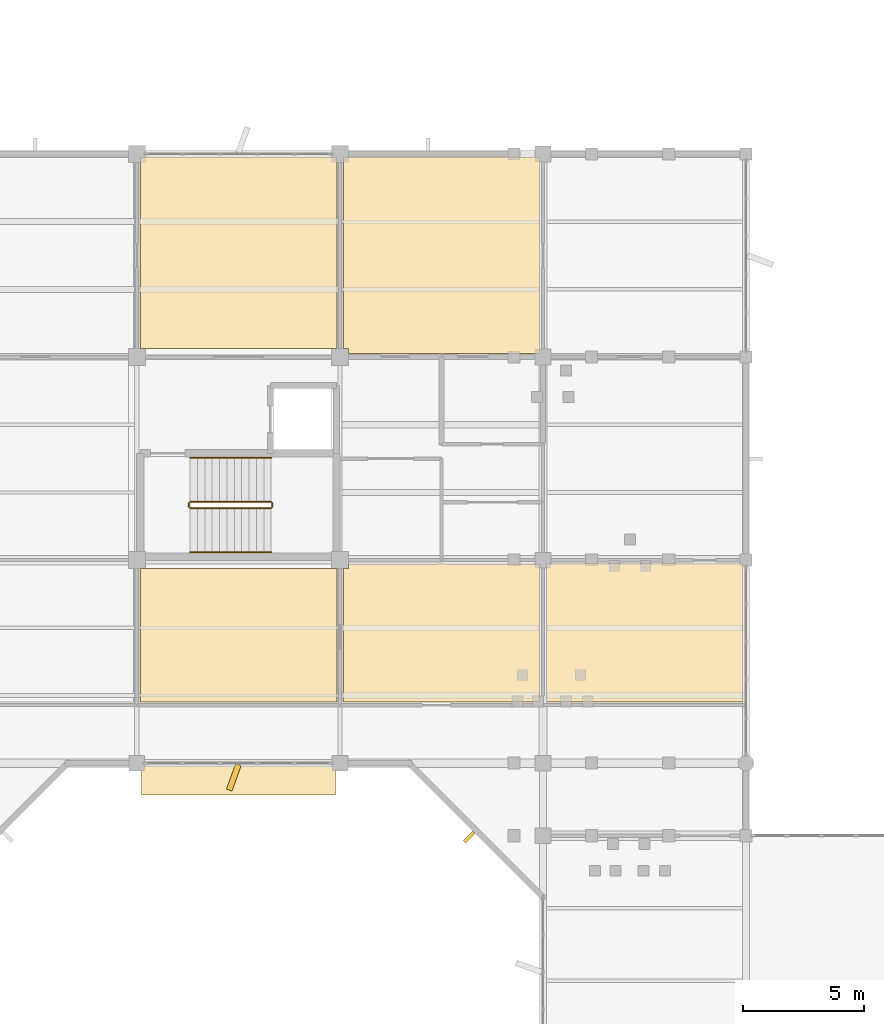
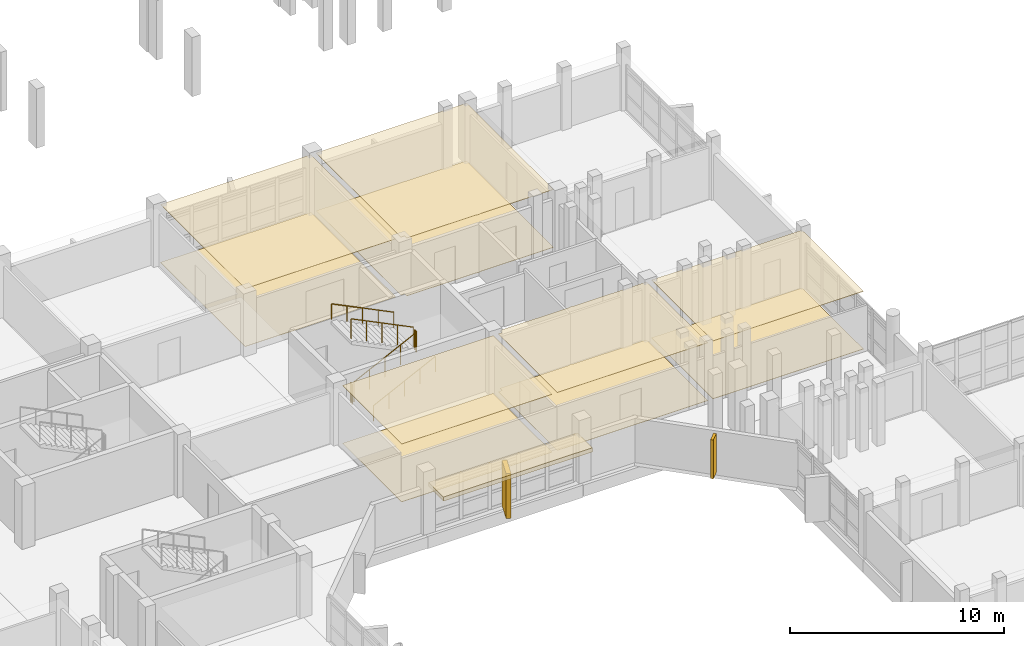
# One storey, part 98 of 104: 12 coverings, 6 railings, 1 shading device.
"""IFC4 building model written with IfcOpenShell, lengths in metres."""

from ifc_helpers import new_model, si_unit, direction, frame, origin, origin_2d, place, context, subcontext, project, spatial, polyline, rectangle, circle, outline, extrude, material, layer, layer_set, type_object, element, save


model = new_model("IFC4")

# Units and contexts
model_context = context("Model", 3, precision=1e-05, world=origin(), true_north=direction((0.0, 1.0)))
body_context = subcontext(model_context, "Body", "Model", "MODEL_VIEW")
ifc_project = project(units=[si_unit("LENGTHUNIT", "METRE"), si_unit("AREAUNIT", "SQUARE_METRE"), si_unit("VOLUMEUNIT", "CUBIC_METRE"), si_unit("PLANEANGLEUNIT", "RADIAN"), si_unit("MASSUNIT", "GRAM", prefix="KILO")], contexts=[model_context])

# Site, building, storey
site_placement = place(None, origin())
site = spatial("IfcSite", under=ifc_project, at=site_placement, CompositionType="ELEMENT")
building_placement = place(site_placement, origin())
building = spatial("IfcBuilding", under=site, at=building_placement, Name="Vanh Quang Courtyard School", CompositionType="ELEMENT")
storey_placement = place(building_placement, frame((0.0, 0.0, 4.199951171875)))
storey = spatial("IfcBuildingStorey", under=building, at=storey_placement, Name="L01", CompositionType="ELEMENT", Elevation=4.199951171875)

# Coverings
ifc_material_1 = material(Name="Perforated mineral-fibre acoustic ceiling board")
ifc_layer_1 = layer(ifc_material_1, 0.02490234375)
ifc_layer_set_1 = layer_set([ifc_layer_1], Name="Perforated mineral-fibre acoustic ceiling board")
covering_type_1 = type_object("IfcCoveringType", Name="COV-CEIL-ACOUSTIC", PredefinedType="CEILING", material=ifc_layer_set_1)
covering_1_placement = place(storey_placement, frame((0.0, 0.0, 3.295166015625)))
element("IfcCovering", 1, at=covering_1_placement, inside=storey, type_object=covering_type_1, Name="Covering CV-CL1 (L01)", PredefinedType="CEILING", context=body_context, shape_type="SweptSolid", body=[
    extrude(outline(polyline([(94.360107421875, 73.929931640625), (94.35888671875, 73.929931640625), (94.35791015625, 73.93017578125), (94.357177734375, 73.930419921875), (94.356201171875, 73.930908203125), (94.355224609375, 73.93115234375), (94.3544921875, 73.931640625), (94.353759765625, 73.932373046875), (94.352783203125, 73.932861328125), (94.352294921875, 73.93359375), (94.351806640625, 73.934326171875), (94.351318359375, 73.935302734375), (94.350830078125, 73.936279296875), (94.350341796875, 73.93701171875), (94.35009765625, 73.93798828125), (94.35009765625, 73.93896484375), (94.35009765625, 73.93994140625), (94.35009765625, 79.449951171875), (102.469970703125, 79.449951171875), (102.469970703125, 73.93994140625), (102.469970703125, 73.93896484375), (102.4697265625, 73.93798828125), (102.469482421875, 73.93701171875), (102.46923828125, 73.936279296875), (102.46875, 73.935302734375), (102.46826171875, 73.934326171875), (102.4677734375, 73.93359375), (102.467041015625, 73.932861328125), (102.46630859375, 73.932373046875), (102.465576171875, 73.931640625), (102.464599609375, 73.93115234375), (102.4638671875, 73.930908203125), (102.462890625, 73.930419921875), (102.4619140625, 73.93017578125), (102.4609375, 73.929931640625), (102.4599609375, 73.929931640625), (94.360107421875, 73.929931640625)])), origin(), (0.0, 0.0, 1.0), 0.02490234375),
])
covering_2_placement = place(storey_placement, frame((0.0, 0.0, 3.295166015625)))
element("IfcCovering", 2, at=covering_2_placement, inside=storey, type_object=covering_type_1, Name="Covering CV-CL1 (L01)", PredefinedType="CEILING", context=body_context, shape_type="SweptSolid", body=[
    extrude(outline(polyline([(94.35009765625, 96.4599609375), (94.35009765625, 96.4609375), (94.35009765625, 96.4619140625), (94.350341796875, 96.462890625), (94.350830078125, 96.4638671875), (94.351318359375, 96.464599609375), (94.351806640625, 96.465576171875), (94.352294921875, 96.46630859375), (94.352783203125, 96.467041015625), (94.353759765625, 96.4677734375), (94.3544921875, 96.46826171875), (94.355224609375, 96.46875), (94.356201171875, 96.46923828125), (94.357177734375, 96.469482421875), (94.35791015625, 96.4697265625), (94.35888671875, 96.469970703125), (94.360107421875, 96.469970703125), (102.4599609375, 96.469970703125), (102.4609375, 96.469970703125), (102.4619140625, 96.4697265625), (102.462890625, 96.469482421875), (102.4638671875, 96.46923828125), (102.464599609375, 96.46875), (102.465576171875, 96.46826171875), (102.46630859375, 96.4677734375), (102.467041015625, 96.467041015625), (102.4677734375, 96.46630859375), (102.46826171875, 96.465576171875), (102.46875, 96.464599609375), (102.46923828125, 96.4638671875), (102.469482421875, 96.462890625), (102.4697265625, 96.4619140625), (102.469970703125, 96.4609375), (102.469970703125, 96.4599609375), (102.469970703125, 88.550048828125), (94.34912109375, 88.550048828125), (94.35009765625, 96.4599609375)])), origin(), (0.0, 0.0, 1.0), 0.02490234375),
])
covering_3_placement = place(storey_placement, frame((0.0, 0.0, 3.295166015625)))
element("IfcCovering", 3, at=covering_3_placement, inside=storey, type_object=covering_type_1, Name="Covering CV-CL1 (L01)", PredefinedType="CEILING", context=body_context, shape_type="SweptSolid", body=[
    extrude(outline(polyline([(102.75, 79.449951171875), (102.949951171875, 79.449951171875), (102.949951171875, 79.64990234375), (106.6591796875, 79.64990234375), (106.765625, 79.669921875), (106.7666015625, 79.669921875), (106.767333984375, 79.669921875), (106.8525390625, 79.669921875), (106.853515625, 79.669921875), (106.8544921875, 79.669921875), (106.9609375, 79.64990234375), (110.860107421875, 79.64990234375), (110.861083984375, 79.64990234375), (110.862060546875, 79.64990234375), (110.86279296875, 79.649658203125), (110.86376953125, 79.649169921875), (110.86474609375, 79.648681640625), (110.865478515625, 79.648193359375), (110.8662109375, 79.647705078125), (110.8671875, 79.647216796875), (110.86767578125, 79.646240234375), (110.868408203125, 79.6455078125), (110.868896484375, 79.644775390625), (110.869140625, 79.643798828125), (110.86962890625, 79.642822265625), (110.869873046875, 79.64208984375), (110.8701171875, 79.64111328125), (110.8701171875, 79.639892578125), (110.8701171875, 73.93994140625), (110.8701171875, 73.93896484375), (110.869873046875, 73.93798828125), (110.86962890625, 73.93701171875), (110.869140625, 73.936279296875), (110.868896484375, 73.935302734375), (110.868408203125, 73.934326171875), (110.86767578125, 73.93359375), (110.8671875, 73.932861328125), (110.8662109375, 73.932373046875), (110.865478515625, 73.931640625), (110.86474609375, 73.93115234375), (110.86376953125, 73.930908203125), (110.86279296875, 73.930419921875), (110.862060546875, 73.93017578125), (110.861083984375, 73.929931640625), (110.860107421875, 73.929931640625), (102.760009765625, 73.929931640625), (102.759033203125, 73.929931640625), (102.758056640625, 73.93017578125), (102.757080078125, 73.930419921875), (102.756103515625, 73.930908203125), (102.75537109375, 73.93115234375), (102.75439453125, 73.931640625), (102.753662109375, 73.932373046875), (102.7529296875, 73.932861328125), (102.752197265625, 73.93359375), (102.751708984375, 73.934326171875), (102.751220703125, 73.935302734375), (102.750732421875, 73.936279296875), (102.75048828125, 73.93701171875), (102.750244140625, 73.93798828125), (102.75, 73.93896484375), (102.75, 73.93994140625), (102.75, 79.449951171875)])), origin(), (0.0, 0.0, 1.0), 0.02490234375),
])
covering_4_placement = place(storey_placement, frame((0.0, 0.0, 3.295166015625)))
element("IfcCovering", 4, at=covering_4_placement, inside=storey, type_object=covering_type_1, Name="Covering CV-CL1 (L01)", PredefinedType="CEILING", context=body_context, shape_type="SweptSolid", body=[
    extrude(outline(polyline([(102.949951171875, 88.35009765625), (102.949951171875, 88.550048828125), (102.75, 88.550048828125), (102.75, 96.4599609375), (102.75, 96.4609375), (102.750244140625, 96.4619140625), (102.75048828125, 96.462890625), (102.750732421875, 96.4638671875), (102.751220703125, 96.464599609375), (102.751708984375, 96.465576171875), (102.752197265625, 96.46630859375), (102.7529296875, 96.467041015625), (102.753662109375, 96.4677734375), (102.75439453125, 96.46826171875), (102.75537109375, 96.46875), (102.756103515625, 96.46923828125), (102.757080078125, 96.469482421875), (102.758056640625, 96.4697265625), (102.759033203125, 96.469970703125), (102.760009765625, 96.469970703125), (110.860107421875, 96.469970703125), (110.861083984375, 96.469970703125), (110.862060546875, 96.4697265625), (110.86279296875, 96.469482421875), (110.86376953125, 96.46923828125), (110.86474609375, 96.46875), (110.865478515625, 96.46826171875), (110.8662109375, 96.4677734375), (110.8671875, 96.467041015625), (110.86767578125, 96.46630859375), (110.868408203125, 96.465576171875), (110.868896484375, 96.464599609375), (110.869140625, 96.4638671875), (110.86962890625, 96.462890625), (110.869873046875, 96.4619140625), (110.8701171875, 96.4609375), (110.8701171875, 96.4599609375), (110.8701171875, 88.360107421875), (110.8701171875, 88.35888671875), (110.869873046875, 88.35791015625), (110.86962890625, 88.357177734375), (110.869140625, 88.356201171875), (110.868896484375, 88.355224609375), (110.868408203125, 88.3544921875), (110.86767578125, 88.353759765625), (110.8671875, 88.352783203125), (110.8662109375, 88.352294921875), (110.865478515625, 88.351806640625), (110.86474609375, 88.351318359375), (110.86376953125, 88.350830078125), (110.86279296875, 88.350341796875), (110.862060546875, 88.35009765625), (110.861083984375, 88.35009765625), (110.860107421875, 88.35009765625), (106.9609375, 88.35009765625), (106.8544921875, 88.330078125), (106.853515625, 88.330078125), (106.8525390625, 88.330078125), (106.767333984375, 88.330078125), (106.7666015625, 88.330078125), (106.765625, 88.330078125), (106.6591796875, 88.35009765625), (102.949951171875, 88.35009765625)])), origin(), (0.0, 0.0, 1.0), 0.02490234375),
])
covering_5_placement = place(storey_placement, frame((0.0, 0.0, 3.295166015625)))
element("IfcCovering", 5, at=covering_5_placement, inside=storey, type_object=covering_type_1, Name="Covering CV-CL1 (L01)", PredefinedType="CEILING", context=body_context, shape_type="SweptSolid", body=[
    extrude(outline(polyline([(111.159912109375, 73.929931640625), (111.158935546875, 73.929931640625), (111.157958984375, 73.93017578125), (111.156982421875, 73.930419921875), (111.15625, 73.930908203125), (111.1552734375, 73.93115234375), (111.154296875, 73.931640625), (111.15380859375, 73.932373046875), (111.15283203125, 73.932861328125), (111.15234375, 73.93359375), (111.151611328125, 73.934326171875), (111.151123046875, 73.935302734375), (111.15087890625, 73.936279296875), (111.150390625, 73.93701171875), (111.150146484375, 73.93798828125), (111.14990234375, 73.93896484375), (111.14990234375, 73.93994140625), (111.149169921875, 79.659912109375), (111.149169921875, 79.660888671875), (111.1494140625, 79.661865234375), (111.149658203125, 79.662841796875), (111.14990234375, 79.663818359375), (111.150390625, 79.664794921875), (111.15087890625, 79.66552734375), (111.151611328125, 79.666259765625), (111.152099609375, 79.6669921875), (111.15283203125, 79.667724609375), (111.153564453125, 79.668212890625), (111.154541015625, 79.668701171875), (111.155517578125, 79.669189453125), (111.15625, 79.669677734375), (111.1572265625, 79.669921875), (111.158203125, 79.669921875), (111.1591796875, 79.669921875), (119.260009765625, 79.669921875), (119.260986328125, 79.669921875), (119.261962890625, 79.669921875), (119.262939453125, 79.669677734375), (119.263916015625, 79.669189453125), (119.2646484375, 79.668701171875), (119.265625, 79.668212890625), (119.266357421875, 79.667724609375), (119.26708984375, 79.6669921875), (119.267578125, 79.666259765625), (119.268310546875, 79.66552734375), (119.268798828125, 79.664794921875), (119.269287109375, 79.663818359375), (119.26953125, 79.662841796875), (119.269775390625, 79.662109375), (119.27001953125, 79.660888671875), (119.27001953125, 79.659912109375), (119.27001953125, 73.93994140625), (119.27001953125, 73.93896484375), (119.269775390625, 73.93798828125), (119.26953125, 73.93701171875), (119.269287109375, 73.936279296875), (119.268798828125, 73.935302734375), (119.268310546875, 73.934326171875), (119.267578125, 73.93359375), (119.26708984375, 73.932861328125), (119.266357421875, 73.932373046875), (119.265625, 73.931640625), (119.2646484375, 73.93115234375), (119.263916015625, 73.930908203125), (119.262939453125, 73.930419921875), (119.261962890625, 73.93017578125), (119.260986328125, 73.929931640625), (119.260009765625, 73.929931640625), (111.159912109375, 73.929931640625)])), origin(), (0.0, 0.0, 1.0), 0.02490234375),
])
ifc_material_2 = material(Name="Polished cementitious terrazzo tile", Category="concrete")
ifc_layer_2 = layer(ifc_material_2, 0.02001953125)
ifc_layer_set_2 = layer_set([ifc_layer_2], Name="Polished cementitious terrazzo tile")
covering_type_2 = type_object("IfcCoveringType", Name="COV-FLR-TERRAZZO", PredefinedType="FLOORING", material=ifc_layer_set_2)
covering_6_placement = place(storey_placement, origin())
element("IfcCovering", 6, at=covering_6_placement, inside=storey, type_object=covering_type_2, Name="Covering CV-FL1 (L01)", PredefinedType="FLOORING", context=body_context, shape_type="SweptSolid", body=[
    extrude(outline(polyline([(94.360107421875, 73.929931640625), (94.35888671875, 73.929931640625), (94.35791015625, 73.93017578125), (94.357177734375, 73.930419921875), (94.356201171875, 73.930908203125), (94.355224609375, 73.93115234375), (94.3544921875, 73.931640625), (94.353759765625, 73.932373046875), (94.352783203125, 73.932861328125), (94.352294921875, 73.93359375), (94.351806640625, 73.934326171875), (94.351318359375, 73.935302734375), (94.350830078125, 73.936279296875), (94.350341796875, 73.93701171875), (94.35009765625, 73.93798828125), (94.35009765625, 73.93896484375), (94.35009765625, 73.93994140625), (94.35009765625, 79.449951171875), (102.469970703125, 79.449951171875), (102.469970703125, 73.93994140625), (102.469970703125, 73.93896484375), (102.4697265625, 73.93798828125), (102.469482421875, 73.93701171875), (102.46923828125, 73.936279296875), (102.46875, 73.935302734375), (102.46826171875, 73.934326171875), (102.4677734375, 73.93359375), (102.467041015625, 73.932861328125), (102.46630859375, 73.932373046875), (102.465576171875, 73.931640625), (102.464599609375, 73.93115234375), (102.4638671875, 73.930908203125), (102.462890625, 73.930419921875), (102.4619140625, 73.93017578125), (102.4609375, 73.929931640625), (102.4599609375, 73.929931640625), (94.360107421875, 73.929931640625)])), origin(), (0.0, 0.0, 1.0), 0.02001953125),
])
covering_7_placement = place(storey_placement, origin())
element("IfcCovering", 7, at=covering_7_placement, inside=storey, type_object=covering_type_2, Name="Covering CV-FL1 (L01)", PredefinedType="FLOORING", context=body_context, shape_type="SweptSolid", body=[
    extrude(outline(polyline([(94.35009765625, 96.4599609375), (94.35009765625, 96.4609375), (94.35009765625, 96.4619140625), (94.350341796875, 96.462890625), (94.350830078125, 96.4638671875), (94.351318359375, 96.464599609375), (94.351806640625, 96.465576171875), (94.352294921875, 96.46630859375), (94.352783203125, 96.467041015625), (94.353759765625, 96.4677734375), (94.3544921875, 96.46826171875), (94.355224609375, 96.46875), (94.356201171875, 96.46923828125), (94.357177734375, 96.469482421875), (94.35791015625, 96.4697265625), (94.35888671875, 96.469970703125), (94.360107421875, 96.469970703125), (102.4599609375, 96.469970703125), (102.4609375, 96.469970703125), (102.4619140625, 96.4697265625), (102.462890625, 96.469482421875), (102.4638671875, 96.46923828125), (102.464599609375, 96.46875), (102.465576171875, 96.46826171875), (102.46630859375, 96.4677734375), (102.467041015625, 96.467041015625), (102.4677734375, 96.46630859375), (102.46826171875, 96.465576171875), (102.46875, 96.464599609375), (102.46923828125, 96.4638671875), (102.469482421875, 96.462890625), (102.4697265625, 96.4619140625), (102.469970703125, 96.4609375), (102.469970703125, 96.4599609375), (102.469970703125, 88.550048828125), (94.34912109375, 88.550048828125), (94.35009765625, 96.4599609375)])), origin(), (0.0, 0.0, 1.0), 0.02001953125),
])
covering_8_placement = place(storey_placement, origin())
element("IfcCovering", 8, at=covering_8_placement, inside=storey, type_object=covering_type_2, Name="Covering CV-FL1 (L01)", PredefinedType="FLOORING", context=body_context, shape_type="SweptSolid", body=[
    extrude(outline(polyline([(102.75, 79.449951171875), (102.949951171875, 79.449951171875), (102.949951171875, 79.64990234375), (106.6591796875, 79.64990234375), (106.765625, 79.669921875), (106.7666015625, 79.669921875), (106.767333984375, 79.669921875), (106.8525390625, 79.669921875), (106.853515625, 79.669921875), (106.8544921875, 79.669921875), (106.9609375, 79.64990234375), (110.860107421875, 79.64990234375), (110.861083984375, 79.64990234375), (110.862060546875, 79.64990234375), (110.86279296875, 79.649658203125), (110.86376953125, 79.649169921875), (110.86474609375, 79.648681640625), (110.865478515625, 79.648193359375), (110.8662109375, 79.647705078125), (110.8671875, 79.647216796875), (110.86767578125, 79.646240234375), (110.868408203125, 79.6455078125), (110.868896484375, 79.644775390625), (110.869140625, 79.643798828125), (110.86962890625, 79.642822265625), (110.869873046875, 79.64208984375), (110.8701171875, 79.64111328125), (110.8701171875, 79.639892578125), (110.8701171875, 73.93994140625), (110.8701171875, 73.93896484375), (110.869873046875, 73.93798828125), (110.86962890625, 73.93701171875), (110.869140625, 73.936279296875), (110.868896484375, 73.935302734375), (110.868408203125, 73.934326171875), (110.86767578125, 73.93359375), (110.8671875, 73.932861328125), (110.8662109375, 73.932373046875), (110.865478515625, 73.931640625), (110.86474609375, 73.93115234375), (110.86376953125, 73.930908203125), (110.86279296875, 73.930419921875), (110.862060546875, 73.93017578125), (110.861083984375, 73.929931640625), (110.860107421875, 73.929931640625), (102.760009765625, 73.929931640625), (102.759033203125, 73.929931640625), (102.758056640625, 73.93017578125), (102.757080078125, 73.930419921875), (102.756103515625, 73.930908203125), (102.75537109375, 73.93115234375), (102.75439453125, 73.931640625), (102.753662109375, 73.932373046875), (102.7529296875, 73.932861328125), (102.752197265625, 73.93359375), (102.751708984375, 73.934326171875), (102.751220703125, 73.935302734375), (102.750732421875, 73.936279296875), (102.75048828125, 73.93701171875), (102.750244140625, 73.93798828125), (102.75, 73.93896484375), (102.75, 73.93994140625), (102.75, 79.449951171875)])), origin(), (0.0, 0.0, 1.0), 0.02001953125),
])
covering_9_placement = place(storey_placement, origin())
element("IfcCovering", 9, at=covering_9_placement, inside=storey, type_object=covering_type_2, Name="Covering CV-FL1 (L01)", PredefinedType="FLOORING", context=body_context, shape_type="SweptSolid", body=[
    extrude(outline(polyline([(102.949951171875, 88.35009765625), (102.949951171875, 88.550048828125), (102.75, 88.550048828125), (102.75, 96.4599609375), (102.75, 96.4609375), (102.750244140625, 96.4619140625), (102.75048828125, 96.462890625), (102.750732421875, 96.4638671875), (102.751220703125, 96.464599609375), (102.751708984375, 96.465576171875), (102.752197265625, 96.46630859375), (102.7529296875, 96.467041015625), (102.753662109375, 96.4677734375), (102.75439453125, 96.46826171875), (102.75537109375, 96.46875), (102.756103515625, 96.46923828125), (102.757080078125, 96.469482421875), (102.758056640625, 96.4697265625), (102.759033203125, 96.469970703125), (102.760009765625, 96.469970703125), (110.860107421875, 96.469970703125), (110.861083984375, 96.469970703125), (110.862060546875, 96.4697265625), (110.86279296875, 96.469482421875), (110.86376953125, 96.46923828125), (110.86474609375, 96.46875), (110.865478515625, 96.46826171875), (110.8662109375, 96.4677734375), (110.8671875, 96.467041015625), (110.86767578125, 96.46630859375), (110.868408203125, 96.465576171875), (110.868896484375, 96.464599609375), (110.869140625, 96.4638671875), (110.86962890625, 96.462890625), (110.869873046875, 96.4619140625), (110.8701171875, 96.4609375), (110.8701171875, 96.4599609375), (110.8701171875, 88.360107421875), (110.8701171875, 88.35888671875), (110.869873046875, 88.35791015625), (110.86962890625, 88.357177734375), (110.869140625, 88.356201171875), (110.868896484375, 88.355224609375), (110.868408203125, 88.3544921875), (110.86767578125, 88.353759765625), (110.8671875, 88.352783203125), (110.8662109375, 88.352294921875), (110.865478515625, 88.351806640625), (110.86474609375, 88.351318359375), (110.86376953125, 88.350830078125), (110.86279296875, 88.350341796875), (110.862060546875, 88.35009765625), (110.861083984375, 88.35009765625), (110.860107421875, 88.35009765625), (106.9609375, 88.35009765625), (106.8544921875, 88.330078125), (106.853515625, 88.330078125), (106.8525390625, 88.330078125), (106.767333984375, 88.330078125), (106.7666015625, 88.330078125), (106.765625, 88.330078125), (106.6591796875, 88.35009765625), (102.949951171875, 88.35009765625)])), origin(), (0.0, 0.0, 1.0), 0.02001953125),
])
covering_10_placement = place(storey_placement, origin())
element("IfcCovering", 10, at=covering_10_placement, inside=storey, type_object=covering_type_2, Name="Covering CV-FL1 (L01)", PredefinedType="FLOORING", context=body_context, shape_type="SweptSolid", body=[
    extrude(outline(polyline([(111.159912109375, 73.929931640625), (111.158935546875, 73.929931640625), (111.157958984375, 73.93017578125), (111.156982421875, 73.930419921875), (111.15625, 73.930908203125), (111.1552734375, 73.93115234375), (111.154296875, 73.931640625), (111.15380859375, 73.932373046875), (111.15283203125, 73.932861328125), (111.15234375, 73.93359375), (111.151611328125, 73.934326171875), (111.151123046875, 73.935302734375), (111.15087890625, 73.936279296875), (111.150390625, 73.93701171875), (111.150146484375, 73.93798828125), (111.14990234375, 73.93896484375), (111.14990234375, 73.93994140625), (111.149169921875, 79.659912109375), (111.149169921875, 79.660888671875), (111.1494140625, 79.661865234375), (111.149658203125, 79.662841796875), (111.14990234375, 79.663818359375), (111.150390625, 79.664794921875), (111.15087890625, 79.66552734375), (111.151611328125, 79.666259765625), (111.152099609375, 79.6669921875), (111.15283203125, 79.667724609375), (111.153564453125, 79.668212890625), (111.154541015625, 79.668701171875), (111.155517578125, 79.669189453125), (111.15625, 79.669677734375), (111.1572265625, 79.669921875), (111.158203125, 79.669921875), (111.1591796875, 79.669921875), (119.260009765625, 79.669921875), (119.260986328125, 79.669921875), (119.261962890625, 79.669921875), (119.262939453125, 79.669677734375), (119.263916015625, 79.669189453125), (119.2646484375, 79.668701171875), (119.265625, 79.668212890625), (119.266357421875, 79.667724609375), (119.26708984375, 79.6669921875), (119.267578125, 79.666259765625), (119.268310546875, 79.66552734375), (119.268798828125, 79.664794921875), (119.269287109375, 79.663818359375), (119.26953125, 79.662841796875), (119.269775390625, 79.662109375), (119.27001953125, 79.660888671875), (119.27001953125, 79.659912109375), (119.27001953125, 73.93994140625), (119.27001953125, 73.93896484375), (119.269775390625, 73.93798828125), (119.26953125, 73.93701171875), (119.269287109375, 73.936279296875), (119.268798828125, 73.935302734375), (119.268310546875, 73.934326171875), (119.267578125, 73.93359375), (119.26708984375, 73.932861328125), (119.266357421875, 73.932373046875), (119.265625, 73.931640625), (119.2646484375, 73.93115234375), (119.263916015625, 73.930908203125), (119.262939453125, 73.930419921875), (119.261962890625, 73.93017578125), (119.260986328125, 73.929931640625), (119.260009765625, 73.929931640625), (111.159912109375, 73.929931640625)])), origin(), (0.0, 0.0, 1.0), 0.02001953125),
])
ifc_material_3 = material(Name="Board-marked precast concrete C40/50", Category="concrete")
ifc_layer_3 = layer(ifc_material_3, 0.239990234375)
ifc_layer_set_3 = layer_set([ifc_layer_3], Name="Board-marked precast concrete C40/50")
covering_type_3 = type_object("IfcCoveringType", Name="COV-HOOD-CONC", PredefinedType="CLADDING", material=ifc_layer_set_3)
covering_11_placement = place(storey_placement, frame((98.39990234375, 70.780029296875, 2.3798828125), z_axis=(0.0, 0.0, 1.0), x_axis=(-1.0, 0.0, 0.0)))
element("IfcCovering", 11, at=covering_11_placement, inside=storey, type_object=covering_type_3, Name="Covering CH-01 (L01)", PredefinedType="CLADDING", context=body_context, shape_type="SweptSolid", body=[
    extrude(rectangle(XDim=8.033935546875, YDim=1.39990234375, at=origin_2d()), origin(), (0.0, 0.0, 1.0), 0.239990234375),
])
covering_12_placement = place(storey_placement, frame((98.2099609375, 70.81494140625, 0.0), z_axis=(0.0, 0.0, 1.0), x_axis=(-0.340379550213, -0.94028812701, 0.0)))
element("IfcCovering", 12, at=covering_12_placement, inside=storey, type_object=covering_type_3, Name="Covering CH-01 (L01)", PredefinedType="CLADDING", context=body_context, shape_type="SweptSolid", body=[
    extrude(rectangle(XDim=1.11669921875, YDim=0.239990234375, at=origin_2d()), origin(), (0.0, 0.0, 1.0), 2.56005859375),
])

# Railings
ifc_material_4 = material(Name="Galvanised painted steel EN 10025-2 S355J2", Category="steel")
railing_type_1 = type_object("IfcRailingType", Name="RAIL-GUARD-1150", PredefinedType="BALUSTRADE", material=ifc_material_4)
railing_1_placement = place(storey_placement, frame((96.39990234375, 81.949951171875, 0.150146484375)))
element("IfcRailing", 13, at=railing_1_placement, inside=storey, type_object=railing_type_1, Name="L01 ST-02 stair guard 1", PredefinedType="BALUSTRADE", context=body_context, shape_type="SweptSolid", body=[
    extrude(circle(Radius=0.02392578125, at=origin_2d()), frame((0.0, 0.0, 1.1259765625), z_axis=(0.897359292542, 0.0, 0.441300691239), x_axis=(0.0, 1.0, 0.0)), (0.0, 0.0, 1.0), 3.73876953125),
    extrude(circle(Radius=0.02099609375, at=origin_2d()), origin(), (0.0, 0.0, 1.0), 1.101806640625),
    extrude(circle(Radius=0.02099609375, at=origin_2d()), frame((0.8388671875, 0.0, 0.41259765625)), (0.0, 0.0, 1.0), 1.101806640625),
    extrude(circle(Radius=0.02099609375, at=origin_2d()), frame((1.677490234375, 0.0, 0.824951171875)), (0.0, 0.0, 1.0), 1.101806640625),
    extrude(circle(Radius=0.02099609375, at=origin_2d()), frame((2.51611328125, 0.0, 1.2373046875)), (0.0, 0.0, 1.0), 1.101806640625),
    extrude(circle(Radius=0.02099609375, at=origin_2d()), frame((3.35498046875, 0.0, 1.64990234375)), (0.0, 0.0, 1.0), 1.101806640625),
])
railing_2_placement = place(storey_placement, frame((99.804931640625, 82.0, 1.800048828125)))
element("IfcRailing", 14, at=railing_2_placement, inside=storey, type_object=railing_type_1, Name="L01 ST-02 stair guard 2", PredefinedType="BALUSTRADE", context=body_context, shape_type="SweptSolid", body=[
    extrude(circle(Radius=0.02392578125, at=origin_2d()), frame((0.0, 0.0, 1.1259765625), z_axis=(0.0, 1.0, 0.0), x_axis=(-1.0, 0.0, 0.0)), (0.0, 0.0, 1.0), 0.159912109375),
    extrude(circle(Radius=0.02099609375, at=origin_2d()), origin(), (0.0, 0.0, 1.0), 1.101806640625),
    extrude(circle(Radius=0.02099609375, at=origin_2d()), frame((0.0, 0.159912109375, 0.0)), (0.0, 0.0, 1.0), 1.101806640625),
])
railing_3_placement = place(storey_placement, frame((99.7548828125, 82.2099609375, 1.949951171875)))
element("IfcRailing", 15, at=railing_3_placement, inside=storey, type_object=railing_type_1, Name="L01 ST-02 stair guard 3", PredefinedType="BALUSTRADE", context=body_context, shape_type="SweptSolid", body=[
    extrude(circle(Radius=0.02392578125, at=origin_2d()), frame((0.0, 0.0, 1.1259765625), z_axis=(-0.89733343241, 0.0, 0.441353272424), x_axis=(0.0, -1.0, 0.0)), (0.0, 0.0, 1.0), 3.73876953125),
    extrude(circle(Radius=0.02099609375, at=origin_2d()), origin(), (0.0, 0.0, 1.0), 1.101806640625),
    extrude(circle(Radius=0.02099609375, at=origin_2d()), frame((-0.8388671875, 0.0, 0.41259765625)), (0.0, 0.0, 1.0), 1.101806640625),
    extrude(circle(Radius=0.02099609375, at=origin_2d()), frame((-1.677490234375, 0.0, 0.8251953125)), (0.0, 0.0, 1.0), 1.101806640625),
    extrude(circle(Radius=0.02099609375, at=origin_2d()), frame((-2.51611328125, 0.0, 1.237548828125)), (0.0, 0.0, 1.0), 1.101806640625),
    extrude(circle(Radius=0.02099609375, at=origin_2d()), frame((-3.35498046875, 0.0, 1.650146484375)), (0.0, 0.0, 1.0), 1.101806640625),
])
railing_4_placement = place(storey_placement, frame((96.35009765625, 82.0, 0.0)))
element("IfcRailing", 16, at=railing_4_placement, inside=storey, type_object=railing_type_1, Name="L01 ST-02 stair guard 4", PredefinedType="BALUSTRADE", context=body_context, shape_type="SweptSolid", body=[
    extrude(circle(Radius=0.02392578125, at=origin_2d()), frame((0.0, 0.0, 1.1259765625), z_axis=(0.0, 1.0, 0.0), x_axis=(-1.0, 0.0, 0.0)), (0.0, 0.0, 1.0), 0.159912109375),
    extrude(circle(Radius=0.02099609375, at=origin_2d()), origin(), (0.0, 0.0, 1.0), 1.101806640625),
    extrude(circle(Radius=0.02099609375, at=origin_2d()), frame((0.0, 0.159912109375, 0.0)), (0.0, 0.0, 1.0), 1.101806640625),
])
ifc_material_5 = material(Name="Brushed stainless steel", Category="steel")
railing_type_2 = type_object("IfcRailingType", Name="RAIL-HAND-900", PredefinedType="HANDRAIL", material=ifc_material_5)
railing_5_placement = place(storey_placement, frame((96.39990234375, 80.1298828125, 0.150146484375)))
element("IfcRailing", 17, at=railing_5_placement, inside=storey, type_object=railing_type_2, Name="L01 ST-02 stair handrail 1", PredefinedType="HANDRAIL", context=body_context, shape_type="SweptSolid", body=[
    extrude(circle(Radius=0.02392578125, at=origin_2d()), frame((0.0, 0.0, 0.8759765625), z_axis=(0.897359292542, 0.0, 0.441300691239), x_axis=(0.0, 1.0, 0.0)), (0.0, 0.0, 1.0), 3.73876953125),
    extrude(circle(Radius=0.02099609375, at=origin_2d()), origin(), (0.0, 0.0, 1.0), 0.851806640625),
    extrude(circle(Radius=0.02099609375, at=origin_2d()), frame((0.8388671875, 0.0, 0.41259765625)), (0.0, 0.0, 1.0), 0.851806640625),
    extrude(circle(Radius=0.02099609375, at=origin_2d()), frame((1.677490234375, 0.0, 0.824951171875)), (0.0, 0.0, 1.0), 0.851806640625),
    extrude(circle(Radius=0.02099609375, at=origin_2d()), frame((2.51611328125, 0.0, 1.2373046875)), (0.0, 0.0, 1.0), 0.851806640625),
    extrude(circle(Radius=0.02099609375, at=origin_2d()), frame((3.35498046875, 0.0, 1.64990234375)), (0.0, 0.0, 1.0), 0.851806640625),
])
railing_6_placement = place(storey_placement, frame((99.7548828125, 84.030029296875, 1.949951171875)))
element("IfcRailing", 18, at=railing_6_placement, inside=storey, type_object=railing_type_2, Name="L01 ST-02 stair handrail 2", PredefinedType="HANDRAIL", context=body_context, shape_type="SweptSolid", body=[
    extrude(circle(Radius=0.02392578125, at=origin_2d()), frame((0.0, 0.0, 0.8759765625), z_axis=(-0.89733343241, 0.0, 0.441353272424), x_axis=(0.0, -1.0, 0.0)), (0.0, 0.0, 1.0), 3.73876953125),
    extrude(circle(Radius=0.02099609375, at=origin_2d()), origin(), (0.0, 0.0, 1.0), 0.851806640625),
    extrude(circle(Radius=0.02099609375, at=origin_2d()), frame((-0.8388671875, 0.0, 0.41259765625)), (0.0, 0.0, 1.0), 0.851806640625),
    extrude(circle(Radius=0.02099609375, at=origin_2d()), frame((-1.677490234375, 0.0, 0.8251953125)), (0.0, 0.0, 1.0), 0.851806640625),
    extrude(circle(Radius=0.02099609375, at=origin_2d()), frame((-2.51611328125, 0.0, 1.237548828125)), (0.0, 0.0, 1.0), 0.851806640625),
    extrude(circle(Radius=0.02099609375, at=origin_2d()), frame((-3.35498046875, 0.0, 1.650146484375)), (0.0, 0.0, 1.0), 0.851806640625),
])

# Shading device
shading_device_type = type_object("IfcShadingDeviceType", Name="SHD-FIN-CONCRETE", PredefinedType="USERDEFINED", material=ifc_material_3)
shading_device_placement = place(storey_placement, frame((107.94873046875, 68.3486328125, 0.14990234375), z_axis=(0.0, 0.0, 1.0), x_axis=(-0.707106781187, 0.707106781187, 0.0)))
element("IfcShadingDevice", 19, at=shading_device_placement, inside=storey, type_object=shading_device_type, Name="Solar Shading SH-02 (L01)", ObjectType="Solar Shading SH-02 (L01)", PredefinedType="USERDEFINED", context=body_context, shape_type="SweptSolid", body=[
    extrude(rectangle(XDim=0.139892578125, YDim=0.550048828125, at=origin_2d()), origin(), (0.0, 0.0, 1.0), 2.219970703125),
])

save(model, "model.ifc")
